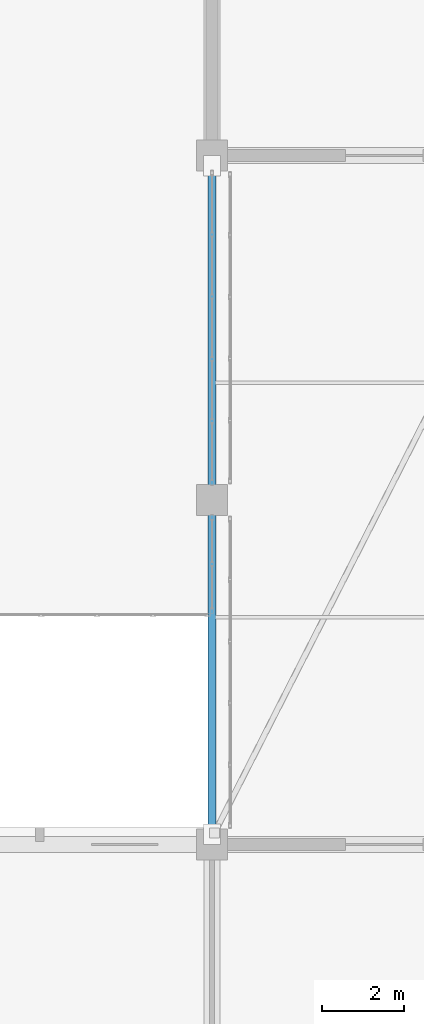
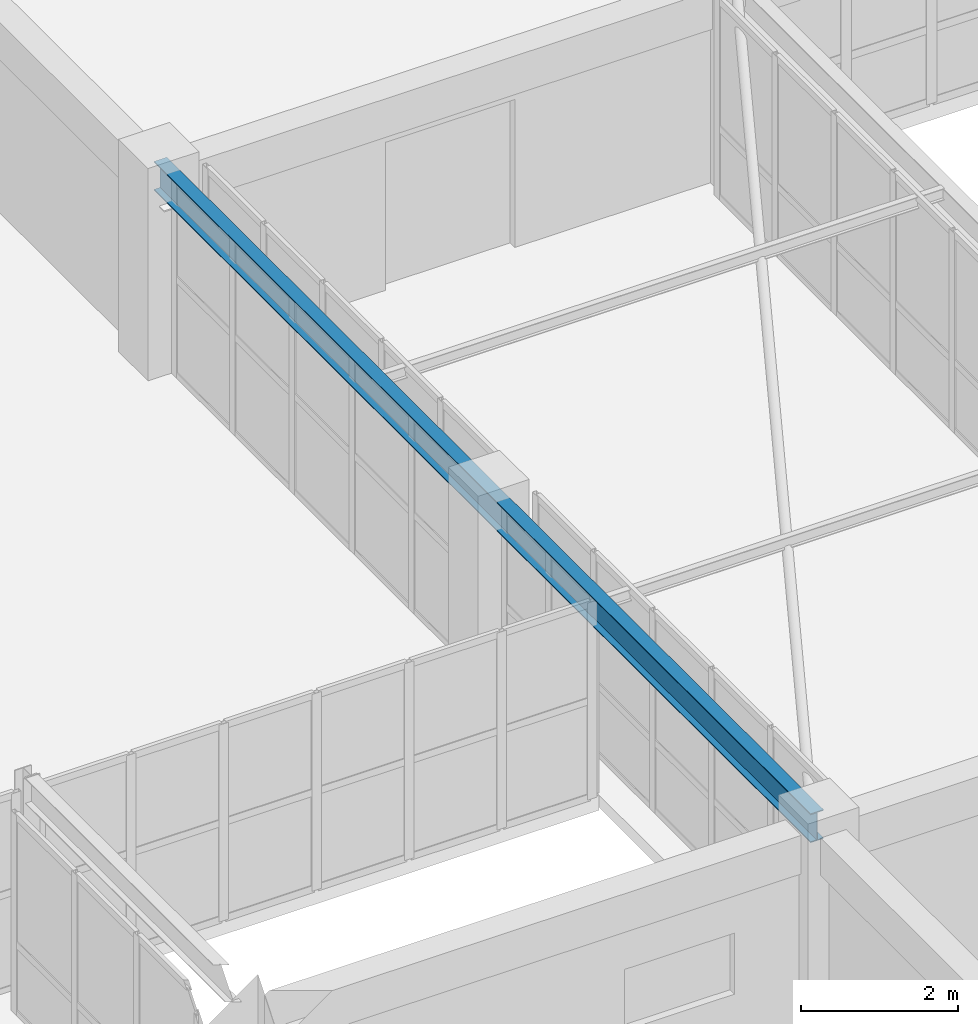
# One storey, part 60 of 200: 1 beam.
"""IFC4 building model written with IfcOpenShell, lengths in metres."""

from ifc_helpers import new_model, si_unit, direction, frame, origin, origin_2d, place, context, subcontext, project, spatial, i_section, extrude, material, material_profile, profile_set, type_object, element, save


model = new_model("IFC4")

# Units and contexts
model_context = context("Model", 3, precision=1e-05, world=origin(), true_north=direction((0.0, 1.0)))
body_context = subcontext(model_context, "Body", "Model", "MODEL_VIEW")
ifc_project = project(units=[si_unit("LENGTHUNIT", "METRE"), si_unit("AREAUNIT", "SQUARE_METRE"), si_unit("VOLUMEUNIT", "CUBIC_METRE"), si_unit("PLANEANGLEUNIT", "RADIAN"), si_unit("MASSUNIT", "GRAM", prefix="KILO")], contexts=[model_context])

# Site, building, storey
site_placement = place(None, origin())
site = spatial("IfcSite", under=ifc_project, at=site_placement, CompositionType="ELEMENT")
building_placement = place(site_placement, origin())
building = spatial("IfcBuilding", under=site, at=building_placement, Name="Trelvath General Hospital", CompositionType="ELEMENT")
storey_placement = place(building_placement, frame((0.0, 0.0, 4.800048828125)))
storey = spatial("IfcBuildingStorey", under=building, at=storey_placement, Name="L01", CompositionType="ELEMENT", Elevation=4.800048828125)

# Beam
ifc_material = material(Name="Steel S355", Category="steel")
ifc_material_profile = material_profile(ifc_material, i_section(OverallWidth=0.18994140625, OverallDepth=0.449951171875, WebThickness=0.009521484375, FlangeThickness=0.0146484375, at=origin_2d()), Name="IPE450")
ifc_profile_set = profile_set([ifc_material_profile], Name="Steel S355")
beam_type = type_object("IfcBeamType", Name="BridgeGirder IPE450", PredefinedType="BEAM", material=ifc_profile_set)
beam_placement = place(storey_placement, frame((75.60009765625, 25.239990234375, 2.885009765625), z_axis=(0.0, 1.0, 0.0), x_axis=(-1.0, 0.0, 0.0)))
element("IfcBeam", 1, at=beam_placement, inside=storey, type_object=beam_type, Name="Bridge Girder BRG-S-C W L02", PredefinedType="BEAM", context=body_context, shape_type="SweptSolid", body=[
    extrude(i_section(OverallWidth=0.18994140625, OverallDepth=0.449951171875, WebThickness=0.009521484375, FlangeThickness=0.0146484375, at=origin_2d()), origin(), (0.0, 0.0, 1.0), 16.719970703125),
])

save(model, "model.ifc")
